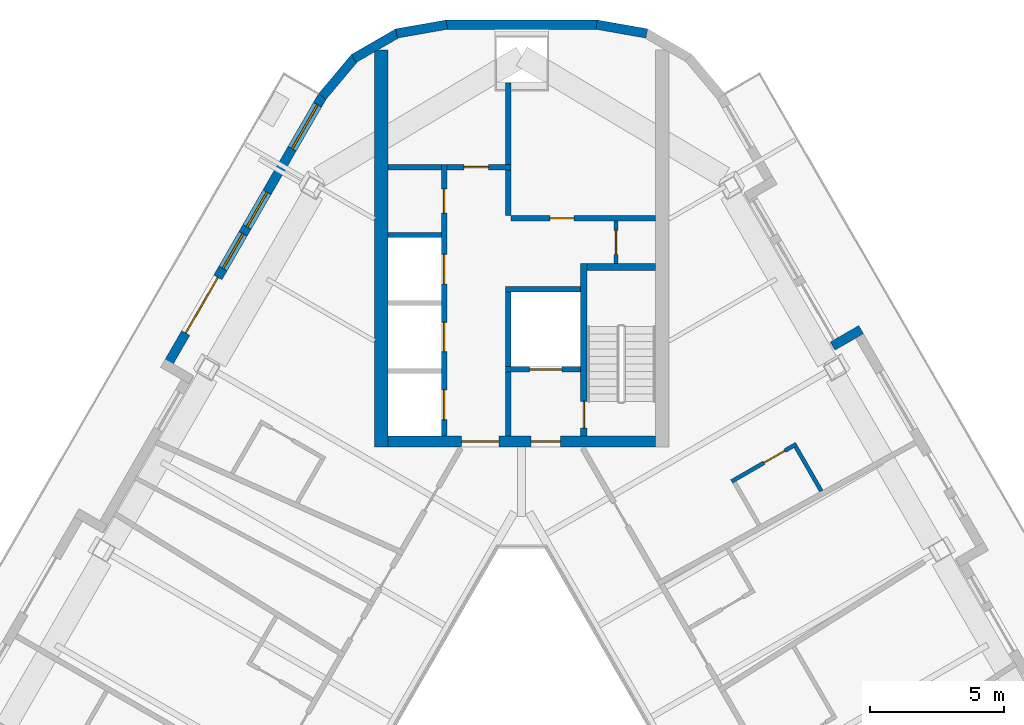
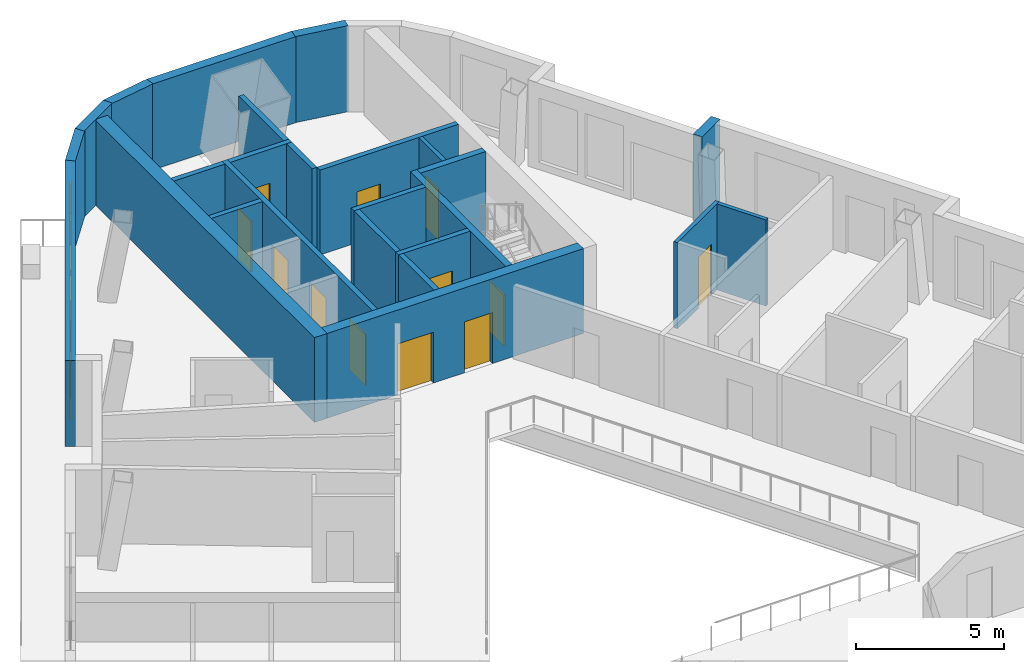
# One storey, part 7 of 14: 25 walls, 13 doors, 3 windows, 16 openings.
"""IFC4 building model written with IfcOpenShell, lengths in metres."""

from ifc_helpers import new_model, si_unit, direction, frame, frame_2d, origin, place, context, subcontext, project, spatial, rectangle, extrude, material, layer, layer_set, type_object, element, fill, save


model = new_model("IFC4")

# Units and contexts
model_context = context("Model", 3, precision=1e-05, world=origin(), true_north=direction((0.0, 1.0)))
body_context = subcontext(model_context, "Body", "Model", "MODEL_VIEW")
ifc_project = project(units=[si_unit("LENGTHUNIT", "METRE"), si_unit("AREAUNIT", "SQUARE_METRE"), si_unit("VOLUMEUNIT", "CUBIC_METRE"), si_unit("PLANEANGLEUNIT", "RADIAN"), si_unit("MASSUNIT", "GRAM", prefix="KILO")], contexts=[model_context])

# Site, building, storey
site_placement = place(None, origin())
site = spatial("IfcSite", under=ifc_project, at=site_placement, CompositionType="ELEMENT")
building_placement = place(site_placement, origin())
building = spatial("IfcBuilding", under=site, at=building_placement, Name="Apuvela Tower Hotel", CompositionType="ELEMENT")
storey_placement = place(building_placement, frame((0.0, 0.0, 254.10009765625)))
storey = spatial("IfcBuildingStorey", under=building, at=storey_placement, Name="L62", CompositionType="ELEMENT", Elevation=254.10009765625)

# Wall, openings, doors
ifc_material_1 = material(Name="Concrete C50/60", Category="concrete")
ifc_layer_1 = layer(ifc_material_1, 0.39990234375)
ifc_layer_set_1 = layer_set([ifc_layer_1], Name="COR-WALL-CORE-400")
wall_type_1 = type_object("IfcWallType", Name="COR-WALL-CORE-400", PredefinedType="SHEAR", material=ifc_layer_set_1)
wall_1_placement = place(storey_placement, frame((5.0, 13.10009765625, 0.0), z_axis=(0.0, 0.0, 1.0), x_axis=(-1.0, 0.0, 0.0)))
wall_1 = element("IfcWall", 1, at=wall_1_placement, inside=storey, type_object=wall_type_1, Name="Core wall N", PredefinedType="SHEAR", context=body_context, shape_type="SweptSolid", body=[
    extrude(rectangle(XDim=10.0, YDim=0.39990234375, at=frame_2d((5.0, 0.0))), origin(), (0.0, 0.0, 1.0), 3.5),
])
opening_1_placement = place(wall_1_placement, frame((3.550048828125, 0.0, 0.0)))
opening_1 = element("IfcOpeningElement", 2, at=opening_1_placement, cuts=wall_1, Name="Opening N-FD", PredefinedType="OPENING", context=body_context, shape_type="SweptSolid", body=[
    extrude(rectangle(XDim=1.10009765625, YDim=2.10009765625, at=frame_2d((0.550048828125, 1.050048828125))), frame((0.0, 0.2099609375, 0.0), z_axis=(0.0, -1.0, 0.0), x_axis=(1.0, 0.0, 0.0)), (0.0, 0.0, 1.0), 0.419921875),
])
opening_2_placement = place(wall_1_placement, frame((5.85009765625, 0.0, 0.0)))
opening_2 = element("IfcOpeningElement", 3, at=opening_2_placement, cuts=wall_1, Name="Opening N-GD", PredefinedType="OPENING", context=body_context, shape_type="SweptSolid", body=[
    extrude(rectangle(XDim=1.39990234375, YDim=2.10009765625, at=frame_2d((0.699951171875, 1.050048828125))), frame((0.0, 0.2099609375, 0.0), z_axis=(0.0, -1.0, 0.0), x_axis=(1.0, 0.0, 0.0)), (0.0, 0.0, 1.0), 0.419921875),
])
ifc_material_2 = material(Name="Steel fire door, powder coated", Category="steel")
door_type_1 = type_object("IfcDoorType", Name="COR-FD-1100", OperationType="NOTDEFINED", PredefinedType="DOOR", material=ifc_material_2)
door_1_placement = place(opening_1_placement, frame((1.10009765625, 0.0, 0.0), z_axis=(0.0, 0.0, 1.0), x_axis=(-1.0, 0.0, 0.0)))
door_1 = element("IfcDoor", 4, at=door_1_placement, inside=storey, type_object=door_type_1, Name="Firefighting lobby door N-FD", OperationType="SINGLE_SWING_LEFT", OverallHeight=2.10009765625, OverallWidth=1.10009765625, PredefinedType="DOOR", context=body_context, shape_type="SweptSolid", body=[
    extrude(rectangle(XDim=1.10009765625, YDim=2.10009765625, at=frame_2d((0.550048828125, 1.050048828125))), frame((0.0, 0.02490234375, 0.0), z_axis=(0.0, -1.0, 0.0), x_axis=(1.0, 0.0, 0.0)), (0.0, 0.0, 1.0), 0.050048828125),
])
fill(opening_1, door_1)
ifc_material_3 = material(Name="Glazed steel fire door", Category="steel")
door_type_2 = type_object("IfcDoorType", Name="COR-GD-1400", OperationType="DOUBLE_DOOR_SINGLE_SWING", PredefinedType="DOOR", material=ifc_material_3)
door_2_placement = place(opening_2_placement, frame((1.39990234375, 0.0, 0.0), z_axis=(0.0, 0.0, 1.0), x_axis=(-1.0, 0.0, 0.0)))
door_2 = element("IfcDoor", 5, at=door_2_placement, inside=storey, type_object=door_type_2, Name="Lift lobby door N-GD", OperationType="DOUBLE_DOOR_SINGLE_SWING", OverallHeight=2.10009765625, OverallWidth=1.39990234375, PredefinedType="DOOR", context=body_context, shape_type="SweptSolid", body=[
    extrude(rectangle(XDim=1.39990234375, YDim=2.10009765625, at=frame_2d((0.699951171875, 1.050048828125))), frame((0.0, 0.02490234375, 0.0), z_axis=(0.0, -1.0, 0.0), x_axis=(1.0, 0.0, 0.0)), (0.0, 0.0, 1.0), 0.050048828125),
])
fill(opening_2, door_2)

# Wall
ifc_layer_2 = layer(ifc_material_1, 0.5)
ifc_layer_set_2 = layer_set([ifc_layer_2], Name="COR-WALL-CORE-500")
wall_type_2 = type_object("IfcWallType", Name="COR-WALL-CORE-500", PredefinedType="SHEAR", material=ifc_layer_set_2)
wall_2_placement = place(storey_placement, frame((-5.25, 12.89990234375, 0.0), z_axis=(0.0, 0.0, 1.0), x_axis=(0.0, 1.0, 0.0)))
element("IfcWall", 6, at=wall_2_placement, inside=storey, type_object=wall_type_2, Name="Core wall N", PredefinedType="SHEAR", context=body_context, shape_type="SweptSolid", body=[
    extrude(rectangle(XDim=14.8369140625, YDim=0.5, at=frame_2d((7.41845703125, 0.0))), origin(), (0.0, 0.0, 1.0), 3.5),
])

# Wall, opening, door
ifc_material_4 = material(Name="Blockwork 150 mm plastered", Category="masonry")
ifc_layer_3 = layer(ifc_material_4, 0.14990234375)
ifc_layer_set_3 = layer_set([ifc_layer_3], Name="COR-WALL-PART-150")
wall_type_3 = type_object("IfcWallType", Name="COR-WALL-PART-150", PredefinedType="PARTITIONING", material=ifc_layer_set_3)
wall_3_placement = place(storey_placement, frame((3.52490234375, 19.75, 0.0), z_axis=(0.0, 0.0, 1.0), x_axis=(0.0, 1.0, 0.0)))
wall_3 = element("IfcWall", 7, at=wall_3_placement, inside=storey, type_object=wall_type_3, Name="Partition N", PredefinedType="PARTITIONING", context=body_context, shape_type="SweptSolid", body=[
    extrude(rectangle(XDim=1.60009765625, YDim=0.14990234375, at=frame_2d((0.800048828125, 0.0))), origin(), (0.0, 0.0, 1.0), 3.5),
])
opening_3_placement = place(wall_3_placement, frame((0.35009765625, 0.0, 0.0)))
opening_3 = element("IfcOpeningElement", 8, at=opening_3_placement, cuts=wall_3, Name="Opening N-RD", PredefinedType="OPENING", context=body_context, shape_type="SweptSolid", body=[
    extrude(rectangle(XDim=0.89990234375, YDim=2.10009765625, at=frame_2d((0.449951171875, 1.050048828125))), frame((0.0, 0.0849609375, 0.0), z_axis=(0.0, -1.0, 0.0), x_axis=(1.0, 0.0, 0.0)), (0.0, 0.0, 1.0), 0.169921875),
])
ifc_material_5 = material(Name="Steel access door, powder coated", Category="steel")
door_type_3 = type_object("IfcDoorType", Name="COR-RD-900", OperationType="NOTDEFINED", PredefinedType="DOOR", material=ifc_material_5)
door_3_placement = place(opening_3_placement, frame((0.89990234375, 0.0, 0.0), z_axis=(0.0, 0.0, 1.0), x_axis=(-1.0, 0.0, 0.0)))
door_3 = element("IfcDoor", 9, at=door_3_placement, inside=storey, type_object=door_type_3, Name="Riser door N-RD", OperationType="SINGLE_SWING_RIGHT", OverallHeight=2.10009765625, OverallWidth=0.89990234375, PredefinedType="DOOR", context=body_context, shape_type="SweptSolid", body=[
    extrude(rectangle(XDim=0.89990234375, YDim=2.10009765625, at=frame_2d((0.449951171875, 1.050048828125))), frame((0.0, 0.02490234375, 0.0), z_axis=(0.0, -1.0, 0.0), x_axis=(1.0, 0.0, 0.0)), (0.0, 0.0, 1.0), 0.050048828125),
])
fill(opening_3, door_3)

ifc_material_6 = material(Name="Blockwork 200 mm plastered", Category="masonry")
ifc_layer_4 = layer(ifc_material_6, 0.199951171875)
ifc_layer_set_4 = layer_set([ifc_layer_4], Name="COR-WALL-PART-200")
wall_type_4 = type_object("IfcWallType", Name="COR-WALL-PART-200", PredefinedType="PARTITIONING", material=ifc_layer_set_4)
wall_4_placement = place(storey_placement, frame((5.0, 21.449951171875, 0.0), z_axis=(0.0, 0.0, 1.0), x_axis=(-1.0, 0.0, 0.0)))
wall_4 = element("IfcWall", 10, at=wall_4_placement, inside=storey, type_object=wall_type_4, Name="Partition N", PredefinedType="PARTITIONING", context=body_context, shape_type="SweptSolid", body=[
    extrude(rectangle(XDim=5.39990234375, YDim=0.199951171875, at=frame_2d((2.699951171875, 0.0))), origin(), (0.0, 0.0, 1.0), 3.5),
])
opening_4_placement = place(wall_4_placement, frame((3.050048828125, 0.0, 0.0)))
opening_4 = element("IfcOpeningElement", 11, at=opening_4_placement, cuts=wall_4, Name="Opening N-RS1", PredefinedType="OPENING", context=body_context, shape_type="SweptSolid", body=[
    extrude(rectangle(XDim=0.89990234375, YDim=2.10009765625, at=frame_2d((0.449951171875, 1.050048828125))), frame((0.0, 0.10986328125, 0.0), z_axis=(0.0, -1.0, 0.0), x_axis=(1.0, 0.0, 0.0)), (0.0, 0.0, 1.0), 0.219970703125),
])
door_type_4 = type_object("IfcDoorType", Name="COR-DR-900", OperationType="NOTDEFINED", PredefinedType="DOOR", material=ifc_material_2)
door_4_placement = place(opening_4_placement, frame((0.89990234375, 0.0, 0.0), z_axis=(0.0, 0.0, 1.0), x_axis=(-1.0, 0.0, 0.0)))
door_4 = element("IfcDoor", 12, at=door_4_placement, inside=storey, type_object=door_type_4, Name="Store door N-RS1", OperationType="SINGLE_SWING_LEFT", OverallHeight=2.10009765625, OverallWidth=0.89990234375, PredefinedType="DOOR", context=body_context, shape_type="SweptSolid", body=[
    extrude(rectangle(XDim=0.89990234375, YDim=2.10009765625, at=frame_2d((0.449951171875, 1.050048828125))), frame((0.0, 0.02490234375, 0.0), z_axis=(0.0, -1.0, 0.0), x_axis=(1.0, 0.0, 0.0)), (0.0, 0.0, 1.0), 0.050048828125),
])
fill(opening_4, door_4)

# Wall
ifc_layer_5 = layer(ifc_material_1, 0.199951171875)
ifc_layer_set_5 = layer_set([ifc_layer_5], Name="COR-WALL-SHAFT-200")
wall_type_5 = type_object("IfcWallType", Name="COR-WALL-SHAFT-200", PredefinedType="SHEAR", material=ifc_layer_set_5)
wall_5_placement = place(storey_placement, frame((2.199951171875, 18.800048828125, 0.0), z_axis=(0.0, 0.0, 1.0), x_axis=(-1.0, 0.0, 0.0)))
element("IfcWall", 13, at=wall_5_placement, inside=storey, type_object=wall_type_5, Name="Shaft wall N", PredefinedType="SHEAR", context=body_context, shape_type="SweptSolid", body=[
    extrude(rectangle(XDim=2.800048828125, YDim=0.199951171875, at=frame_2d((1.39990234375, 0.0))), origin(), (0.0, 0.0, 1.0), 3.5),
])

# Wall, opening, door
wall_6_placement = place(storey_placement, frame((2.199951171875, 15.800048828125, 0.0), z_axis=(0.0, 0.0, 1.0), x_axis=(-1.0, 0.0, 0.0)))
wall_6 = element("IfcWall", 14, at=wall_6_placement, inside=storey, type_object=wall_type_5, Name="Shaft wall N", PredefinedType="SHEAR", context=body_context, shape_type="SweptSolid", body=[
    extrude(rectangle(XDim=2.800048828125, YDim=0.199951171875, at=frame_2d((1.39990234375, 0.0))), origin(), (0.0, 0.0, 1.0), 3.5),
])
opening_5_placement = place(wall_6_placement, frame((0.699951171875, 0.0, 0.0)))
opening_5 = element("IfcOpeningElement", 15, at=opening_5_placement, cuts=wall_6, Name="Opening N-LD-FS1", PredefinedType="OPENING", context=body_context, shape_type="SweptSolid", body=[
    extrude(rectangle(XDim=1.199951171875, YDim=2.10009765625, at=frame_2d((0.60009765625, 1.050048828125))), frame((0.0, 0.10986328125, 0.0), z_axis=(0.0, -1.0, 0.0), x_axis=(1.0, 0.0, 0.0)), (0.0, 0.0, 1.0), 0.219970703125),
])
ifc_material_7 = material(Name="Stainless steel lift landing door", Category="steel")
door_type_5 = type_object("IfcDoorType", Name="COR-LD-1200", OperationType="DOUBLE_DOOR_SLIDING", PredefinedType="DOOR", material=ifc_material_7)
door_5_placement = place(opening_5_placement, origin())
door_5 = element("IfcDoor", 16, at=door_5_placement, inside=storey, type_object=door_type_5, Name="Lift landing door N-LD-FS1", OperationType="DOUBLE_DOOR_SLIDING", OverallHeight=2.10009765625, OverallWidth=1.199951171875, PredefinedType="DOOR", context=body_context, shape_type="SweptSolid", body=[
    extrude(rectangle(XDim=1.199951171875, YDim=2.10009765625, at=frame_2d((0.60009765625, 1.050048828125))), frame((0.0, 0.02490234375, 0.0), z_axis=(0.0, -1.0, 0.0), x_axis=(1.0, 0.0, 0.0)), (0.0, 0.0, 1.0), 0.050048828125),
])
fill(opening_5, door_5)

# Walls
wall_7_placement = place(storey_placement, frame((-0.5, 15.89990234375, 0.0), z_axis=(0.0, 0.0, 1.0), x_axis=(0.0, 1.0, 0.0)))
element("IfcWall", 17, at=wall_7_placement, inside=storey, type_object=wall_type_5, Name="Shaft wall N", PredefinedType="SHEAR", context=body_context, shape_type="SweptSolid", body=[
    extrude(rectangle(XDim=2.800048828125, YDim=0.199951171875, at=frame_2d((1.39990234375, 0.0))), origin(), (0.0, 0.0, 1.0), 3.5),
])
wall_8_placement = place(storey_placement, frame((-0.5, 13.300048828125, 0.0), z_axis=(0.0, 0.0, 1.0), x_axis=(0.0, 1.0, 0.0)))
element("IfcWall", 18, at=wall_8_placement, inside=storey, type_object=wall_type_5, Name="Shaft wall N", PredefinedType="SHEAR", context=body_context, shape_type="SweptSolid", body=[
    extrude(rectangle(XDim=2.39990234375, YDim=0.199951171875, at=frame_2d((1.199951171875, 0.0))), origin(), (0.0, 0.0, 1.0), 3.5),
])

# Wall, openings, doors
wall_9_placement = place(storey_placement, frame((-2.89990234375, 13.300048828125, 0.0), z_axis=(0.0, 0.0, 1.0), x_axis=(0.0, 1.0, 0.0)))
wall_9 = element("IfcWall", 19, at=wall_9_placement, inside=storey, type_object=wall_type_5, Name="Shaft wall N", PredefinedType="SHEAR", context=body_context, shape_type="SweptSolid", body=[
    extrude(rectangle(XDim=10.159912109375, YDim=0.199951171875, at=frame_2d((5.080078125, 0.0))), origin(), (0.0, 0.0, 1.0), 3.5),
])
opening_6_placement = place(wall_9_placement, frame((0.6201171875, 0.0, 0.0)))
opening_6 = element("IfcOpeningElement", 20, at=opening_6_placement, cuts=wall_9, Name="Opening N-LD-HR1", PredefinedType="OPENING", context=body_context, shape_type="SweptSolid", body=[
    extrude(rectangle(XDim=1.10009765625, YDim=2.10009765625, at=frame_2d((0.550048828125, 1.050048828125))), frame((0.0, 0.10986328125, 0.0), z_axis=(0.0, -1.0, 0.0), x_axis=(1.0, 0.0, 0.0)), (0.0, 0.0, 1.0), 0.219970703125),
])
opening_7_placement = place(wall_9_placement, frame((3.159912109375, 0.0, 0.0)))
opening_7 = element("IfcOpeningElement", 21, at=opening_7_placement, cuts=wall_9, Name="Opening N-LD-HR2", PredefinedType="OPENING", context=body_context, shape_type="SweptSolid", body=[
    extrude(rectangle(XDim=1.10009765625, YDim=2.10009765625, at=frame_2d((0.550048828125, 1.050048828125))), frame((0.0, 0.10986328125, 0.0), z_axis=(0.0, -1.0, 0.0), x_axis=(1.0, 0.0, 0.0)), (0.0, 0.0, 1.0), 0.219970703125),
])
opening_8_placement = place(wall_9_placement, frame((5.699951171875, 0.0, 0.0)))
opening_8 = element("IfcOpeningElement", 22, at=opening_8_placement, cuts=wall_9, Name="Opening N-LD-HR4", PredefinedType="OPENING", context=body_context, shape_type="SweptSolid", body=[
    extrude(rectangle(XDim=1.10009765625, YDim=2.10009765625, at=frame_2d((0.550048828125, 1.050048828125))), frame((0.0, 0.10986328125, 0.0), z_axis=(0.0, -1.0, 0.0), x_axis=(1.0, 0.0, 0.0)), (0.0, 0.0, 1.0), 0.219970703125),
])
opening_9_placement = place(wall_9_placement, frame((8.340087890625, 0.0, 0.0)))
opening_9 = element("IfcOpeningElement", 23, at=opening_9_placement, cuts=wall_9, Name="Opening N-RE4", PredefinedType="OPENING", context=body_context, shape_type="SweptSolid", body=[
    extrude(rectangle(XDim=0.89990234375, YDim=2.10009765625, at=frame_2d((0.449951171875, 1.050048828125))), frame((0.0, 0.10986328125, 0.0), z_axis=(0.0, -1.0, 0.0), x_axis=(1.0, 0.0, 0.0)), (0.0, 0.0, 1.0), 0.219970703125),
])
door_6_placement = place(opening_9_placement, origin())
door_6 = element("IfcDoor", 24, at=door_6_placement, inside=storey, type_object=door_type_4, Name="Store door N-RE4", OperationType="SINGLE_SWING_LEFT", OverallHeight=2.10009765625, OverallWidth=0.89990234375, PredefinedType="DOOR", context=body_context, shape_type="SweptSolid", body=[
    extrude(rectangle(XDim=0.89990234375, YDim=2.10009765625, at=frame_2d((0.449951171875, 1.050048828125))), frame((0.0, 0.02490234375, 0.0), z_axis=(0.0, -1.0, 0.0), x_axis=(1.0, 0.0, 0.0)), (0.0, 0.0, 1.0), 0.050048828125),
])
fill(opening_9, door_6)
door_type_6 = type_object("IfcDoorType", Name="COR-LD-1100", OperationType="DOUBLE_DOOR_SLIDING", PredefinedType="DOOR", material=ifc_material_7)
door_7_placement = place(opening_6_placement, origin())
door_7 = element("IfcDoor", 25, at=door_7_placement, inside=storey, type_object=door_type_6, Name="Lift landing door N-LD-HR1", OperationType="DOUBLE_DOOR_SLIDING", OverallHeight=2.10009765625, OverallWidth=1.10009765625, PredefinedType="DOOR", context=body_context, shape_type="SweptSolid", body=[
    extrude(rectangle(XDim=1.10009765625, YDim=2.10009765625, at=frame_2d((0.550048828125, 1.050048828125))), frame((0.0, 0.02490234375, 0.0), z_axis=(0.0, -1.0, 0.0), x_axis=(1.0, 0.0, 0.0)), (0.0, 0.0, 1.0), 0.050048828125),
])
fill(opening_6, door_7)
door_8_placement = place(opening_7_placement, origin())
door_8 = element("IfcDoor", 26, at=door_8_placement, inside=storey, type_object=door_type_6, Name="Lift landing door N-LD-HR2", OperationType="DOUBLE_DOOR_SLIDING", OverallHeight=2.10009765625, OverallWidth=1.10009765625, PredefinedType="DOOR", context=body_context, shape_type="SweptSolid", body=[
    extrude(rectangle(XDim=1.10009765625, YDim=2.10009765625, at=frame_2d((0.550048828125, 1.050048828125))), frame((0.0, 0.02490234375, 0.0), z_axis=(0.0, -1.0, 0.0), x_axis=(1.0, 0.0, 0.0)), (0.0, 0.0, 1.0), 0.050048828125),
])
fill(opening_7, door_8)
door_9_placement = place(opening_8_placement, origin())
door_9 = element("IfcDoor", 27, at=door_9_placement, inside=storey, type_object=door_type_6, Name="Lift landing door N-LD-HR4", OperationType="DOUBLE_DOOR_SLIDING", OverallHeight=2.10009765625, OverallWidth=1.10009765625, PredefinedType="DOOR", context=body_context, shape_type="SweptSolid", body=[
    extrude(rectangle(XDim=1.10009765625, YDim=2.10009765625, at=frame_2d((0.550048828125, 1.050048828125))), frame((0.0, 0.02490234375, 0.0), z_axis=(0.0, -1.0, 0.0), x_axis=(1.0, 0.0, 0.0)), (0.0, 0.0, 1.0), 0.050048828125),
])
fill(opening_8, door_9)

# Wall, opening, door
wall_10_placement = place(storey_placement, frame((-0.39990234375, 23.360107421875, 0.0), z_axis=(0.0, 0.0, 1.0), x_axis=(-1.0, 0.0, 0.0)))
wall_10 = element("IfcWall", 28, at=wall_10_placement, inside=storey, type_object=wall_type_5, Name="Shaft wall N", PredefinedType="SHEAR", context=body_context, shape_type="SweptSolid", body=[
    extrude(rectangle(XDim=2.400146484375, YDim=0.199951171875, at=frame_2d((1.2001953125, 0.0))), origin(), (0.0, 0.0, 1.0), 3.5),
])
opening_10_placement = place(wall_10_placement, frame((0.85009765625, 0.0, 0.0)))
opening_10 = element("IfcOpeningElement", 29, at=opening_10_placement, cuts=wall_10, Name="Opening N-REP", PredefinedType="OPENING", context=body_context, shape_type="SweptSolid", body=[
    extrude(rectangle(XDim=0.89990234375, YDim=2.10009765625, at=frame_2d((0.449951171875, 1.050048828125))), frame((0.0, 0.10986328125, 0.0), z_axis=(0.0, -1.0, 0.0), x_axis=(1.0, 0.0, 0.0)), (0.0, 0.0, 1.0), 0.219970703125),
])
door_10_placement = place(opening_10_placement, frame((0.89990234375, 0.0, 0.0), z_axis=(0.0, 0.0, 1.0), x_axis=(-1.0, 0.0, 0.0)))
door_10 = element("IfcDoor", 30, at=door_10_placement, inside=storey, type_object=door_type_4, Name="Store door N-REP", OperationType="SINGLE_SWING_LEFT", OverallHeight=2.10009765625, OverallWidth=0.89990234375, PredefinedType="DOOR", context=body_context, shape_type="SweptSolid", body=[
    extrude(rectangle(XDim=0.89990234375, YDim=2.10009765625, at=frame_2d((0.449951171875, 1.050048828125))), frame((0.0, 0.02490234375, 0.0), z_axis=(0.0, -1.0, 0.0), x_axis=(1.0, 0.0, 0.0)), (0.0, 0.0, 1.0), 0.050048828125),
])
fill(opening_10, door_10)

# Walls
wall_11_placement = place(storey_placement, frame((-0.5, 21.550048828125, 0.0), z_axis=(0.0, 0.0, 1.0), x_axis=(0.0, 1.0, 0.0)))
element("IfcWall", 31, at=wall_11_placement, inside=storey, type_object=wall_type_5, Name="Shaft wall N", PredefinedType="SHEAR", context=body_context, shape_type="SweptSolid", body=[
    extrude(rectangle(XDim=1.7099609375, YDim=0.199951171875, at=frame_2d((0.85498046875, 0.0))), origin(), (0.0, 0.0, 1.0), 3.5),
])
for number, where, z_axis, x_axis, name in (
    (32, (-3.0, 20.820068359375, 0.0), (0.0, 0.0, 1.0), (-1.0, 0.0, 0.0), "Shaft wall N"),
    (33, (-3.0, 23.360107421875, 0.0), (0.0, 0.0, 1.0), (-1.0, 0.0, 0.0), "Shaft wall N"),
):
    element("IfcWall", number, at=place(storey_placement, frame(where, z_axis=z_axis, x_axis=x_axis)), inside=storey, type_object=wall_type_5, Name=name, PredefinedType="SHEAR", context=body_context, shape_type="SweptSolid", body=[
        extrude(rectangle(XDim=2.0, YDim=0.199951171875, at=frame_2d((1.0, 0.0))), origin(), (0.0, 0.0, 1.0), 3.5),
    ])
wall_12_placement = place(storey_placement, frame((-0.5, 23.4599609375, 0.0), z_axis=(0.0, 0.0, 1.0), x_axis=(0.0, 1.0, 0.0)))
element("IfcWall", 34, at=wall_12_placement, inside=storey, type_object=wall_type_5, Name="Shaft wall N", PredefinedType="SHEAR", context=body_context, shape_type="SweptSolid", body=[
    extrude(rectangle(XDim=3.0400390625, YDim=0.199951171875, at=frame_2d((1.52001953125, 0.0))), origin(), (0.0, 0.0, 1.0), 3.5),
])

# Wall, opening, door
ifc_layer_6 = layer(ifc_material_1, 0.25)
ifc_layer_set_6 = layer_set([ifc_layer_6], Name="COR-WALL-STAIR-250")
wall_type_6 = type_object("IfcWallType", Name="COR-WALL-STAIR-250", PredefinedType="SHEAR", material=ifc_layer_set_6)
wall_13_placement = place(storey_placement, frame((2.324951171875, 13.300048828125, 0.0), z_axis=(0.0, 0.0, 1.0), x_axis=(0.0, 1.0, 0.0)))
wall_13 = element("IfcWall", 35, at=wall_13_placement, inside=storey, type_object=wall_type_6, Name="Stair wall N", PredefinedType="SHEAR", context=body_context, shape_type="SweptSolid", body=[
    extrude(rectangle(XDim=6.449951171875, YDim=0.25, at=frame_2d((3.22509765625, 0.0))), origin(), (0.0, 0.0, 1.0), 3.5),
])
opening_11_placement = place(wall_13_placement, frame((0.300048828125, 0.0, 0.0)))
opening_11 = element("IfcOpeningElement", 36, at=opening_11_placement, cuts=wall_13, Name="Opening N-SD", PredefinedType="OPENING", context=body_context, shape_type="SweptSolid", body=[
    extrude(rectangle(XDim=1.0, YDim=2.10009765625, at=frame_2d((0.5, 1.050048828125))), frame((0.0, 0.135009765625, 0.0), z_axis=(0.0, -1.0, 0.0), x_axis=(1.0, 0.0, 0.0)), (0.0, 0.0, 1.0), 0.27001953125),
])
door_type_7 = type_object("IfcDoorType", Name="COR-SD-1000", OperationType="NOTDEFINED", PredefinedType="DOOR", material=ifc_material_2)
door_11_placement = place(opening_11_placement, frame((1.0, 0.0, 0.0), z_axis=(0.0, 0.0, 1.0), x_axis=(-1.0, 0.0, 0.0)))
door_11 = element("IfcDoor", 37, at=door_11_placement, inside=storey, type_object=door_type_7, Name="Stair door N-SD", OperationType="SINGLE_SWING_LEFT", OverallHeight=2.10009765625, OverallWidth=1.0, PredefinedType="DOOR", context=body_context, shape_type="SweptSolid", body=[
    extrude(rectangle(XDim=1.0, YDim=2.10009765625, at=frame_2d((0.5, 1.050048828125))), frame((0.0, 0.02490234375, 0.0), z_axis=(0.0, -1.0, 0.0), x_axis=(1.0, 0.0, 0.0)), (0.0, 0.0, 1.0), 0.050048828125),
])
fill(opening_11, door_11)

# Wall
wall_14_placement = place(storey_placement, frame((5.0, 19.625, 0.0), z_axis=(0.0, 0.0, 1.0), x_axis=(-1.0, 0.0, 0.0)))
element("IfcWall", 38, at=wall_14_placement, inside=storey, type_object=wall_type_6, Name="Stair wall N", PredefinedType="SHEAR", context=body_context, shape_type="SweptSolid", body=[
    extrude(rectangle(XDim=2.550048828125, YDim=0.25, at=frame_2d((1.27490234375, 0.0))), origin(), (0.0, 0.0, 1.0), 3.5),
])

# Wall, openings, door, windows
ifc_material_8 = material(Name="Concrete C40/50, dark pigmented precast panel", Category="concrete")
ifc_layer_7 = layer(ifc_material_8, 0.35009765625)
ifc_layer_set_7 = layer_set([ifc_layer_7], Name="ENV-WALL-350")
wall_type_7 = type_object("IfcWallType", Name="ENV-WALL-350", PredefinedType="SOLIDWALL", material=ifc_layer_set_7)
wall_15_placement = place(storey_placement, frame((-7.440673828125, 26.0224609375, 0.0), z_axis=(0.0, 0.0, 1.0), x_axis=(-0.499992533062, -0.86602971478, 0.0)))
wall_15 = element("IfcWall", 39, at=wall_15_placement, inside=storey, type_object=wall_type_7, Name="External wall L62-01", PredefinedType="SOLIDWALL", context=body_context, shape_type="SweptSolid", body=[
    extrude(rectangle(XDim=11.815673828125, YDim=0.35009765625, at=frame_2d((5.90771484375, 0.0))), origin(), (0.0, 0.0, 1.0), 3.5498046875),
])
opening_12_placement = place(wall_15_placement, frame((0.381103515625, 0.0, 0.300048828125)))
opening_12 = element("IfcOpeningElement", 40, at=opening_12_placement, cuts=wall_15, Name="Opening WN19", PredefinedType="OPENING", context=body_context, shape_type="SweptSolid", body=[
    extrude(rectangle(XDim=1.89990234375, YDim=2.64990234375, at=frame_2d((0.949951171875, 1.324951171875))), frame((0.0, 0.18505859375, 0.0), z_axis=(0.0, -1.0, 0.0), x_axis=(1.0, 0.0, 0.0)), (0.0, 0.0, 1.0), 0.3701171875),
])
opening_13_placement = place(wall_15_placement, frame((7.83642578125, 0.0, 0.0)))
opening_13 = element("IfcOpeningElement", 41, at=opening_13_placement, cuts=wall_15, Name="Opening BD24", PredefinedType="OPENING", context=body_context, shape_type="SweptSolid", body=[
    extrude(rectangle(XDim=2.39990234375, YDim=2.39990234375, at=frame_2d((1.199951171875, 1.199951171875))), frame((0.0, 0.18505859375, 0.0), z_axis=(0.0, -1.0, 0.0), x_axis=(1.0, 0.0, 0.0)), (0.0, 0.0, 1.0), 0.3701171875),
])
opening_14_placement = place(wall_15_placement, frame((4.15380859375, 0.0, 0.300048828125)))
opening_14 = element("IfcOpeningElement", 42, at=opening_14_placement, cuts=wall_15, Name="Opening WN15", PredefinedType="OPENING", context=body_context, shape_type="SweptSolid", body=[
    extrude(rectangle(XDim=1.5, YDim=2.64990234375, at=frame_2d((0.75, 1.324951171875))), frame((0.0, 0.18505859375, 0.0), z_axis=(0.0, -1.0, 0.0), x_axis=(1.0, 0.0, 0.0)), (0.0, 0.0, 1.0), 0.3701171875),
])
opening_15_placement = place(wall_15_placement, frame((5.95361328125, 0.0, 0.300048828125)))
opening_15 = element("IfcOpeningElement", 43, at=opening_15_placement, cuts=wall_15, Name="Opening WN15", PredefinedType="OPENING", context=body_context, shape_type="SweptSolid", body=[
    extrude(rectangle(XDim=1.5, YDim=2.64990234375, at=frame_2d((0.75, 1.324951171875))), frame((0.0, 0.18505859375, 0.0), z_axis=(0.0, -1.0, 0.0), x_axis=(1.0, 0.0, 0.0)), (0.0, 0.0, 1.0), 0.3701171875),
])
ifc_material_9 = material(Name="Aluminium 6063-T6, dark bronze anodised frame with dark tinted laminated glass", Category="aluminium")
door_type_8 = type_object("IfcDoorType", Name="ENV-DOOR-BALCONY-2400x2400", OperationType="SLIDING_TO_LEFT", PredefinedType="DOOR", material=ifc_material_9)
door_12_placement = place(opening_13_placement, frame((2.39990234375, 0.0, 0.0), z_axis=(0.0, 0.0, 1.0), x_axis=(-1.0, 0.0, 0.0)))
door_12 = element("IfcDoor", 44, at=door_12_placement, inside=storey, type_object=door_type_8, Name="Balcony door BD24", OperationType="SLIDING_TO_LEFT", OverallHeight=2.39990234375, OverallWidth=2.39990234375, PredefinedType="DOOR", context=body_context, shape_type="SweptSolid", body=[
    extrude(rectangle(XDim=2.39990234375, YDim=2.39990234375, at=frame_2d((1.199951171875, 1.199951171875))), frame((0.0, 0.02490234375, 0.0), z_axis=(0.0, -1.0, 0.0), x_axis=(1.0, 0.0, 0.0)), (0.0, 0.0, 1.0), 0.050048828125),
])
fill(opening_13, door_12)
ifc_material_10 = material(Name="Glass, dark tinted laminated insulated glazing unit", Category="glass")
window_type_1 = type_object("IfcWindowType", Name="ENV-WIN-1500x2650", PartitioningType="SINGLE_PANEL", PredefinedType="WINDOW", material=ifc_material_10)
window_1_placement = place(opening_14_placement, origin())
window_1 = element("IfcWindow", 45, at=window_1_placement, inside=storey, type_object=window_type_1, Name="Window WN15", OverallHeight=2.64990234375, OverallWidth=1.5, PartitioningType="SINGLE_PANEL", PredefinedType="WINDOW", context=body_context, shape_type="SweptSolid", body=[
    extrude(rectangle(XDim=1.5, YDim=2.64990234375, at=frame_2d((0.75, 1.324951171875))), frame((0.0, 0.030029296875, 0.0), z_axis=(0.0, -1.0, 0.0), x_axis=(1.0, 0.0, 0.0)), (0.0, 0.0, 1.0), 0.06005859375),
])
fill(opening_14, window_1)
window_2_placement = place(opening_15_placement, origin())
window_2 = element("IfcWindow", 46, at=window_2_placement, inside=storey, type_object=window_type_1, Name="Window WN15", OverallHeight=2.64990234375, OverallWidth=1.5, PartitioningType="SINGLE_PANEL", PredefinedType="WINDOW", context=body_context, shape_type="SweptSolid", body=[
    extrude(rectangle(XDim=1.5, YDim=2.64990234375, at=frame_2d((0.75, 1.324951171875))), frame((0.0, 0.030029296875, 0.0), z_axis=(0.0, -1.0, 0.0), x_axis=(1.0, 0.0, 0.0)), (0.0, 0.0, 1.0), 0.06005859375),
])
fill(opening_15, window_2)
window_type_2 = type_object("IfcWindowType", Name="ENV-WIN-1900x2650", PartitioningType="SINGLE_PANEL", PredefinedType="WINDOW", material=ifc_material_10)
window_3_placement = place(opening_12_placement, origin())
window_3 = element("IfcWindow", 47, at=window_3_placement, inside=storey, type_object=window_type_2, Name="Window WN19", OverallHeight=2.64990234375, OverallWidth=1.89990234375, PartitioningType="SINGLE_PANEL", PredefinedType="WINDOW", context=body_context, shape_type="SweptSolid", body=[
    extrude(rectangle(XDim=1.89990234375, YDim=2.64990234375, at=frame_2d((0.949951171875, 1.324951171875))), frame((0.0, 0.030029296875, 0.0), z_axis=(0.0, -1.0, 0.0), x_axis=(1.0, 0.0, 0.0)), (0.0, 0.0, 1.0), 0.06005859375),
])
fill(opening_12, window_3)

# Walls
wall_16_placement = place(storey_placement, frame((12.6875, 17.284423828125, 0.0), z_axis=(0.0, 0.0, 1.0), x_axis=(-0.865955602162, -0.500120880472, 0.0)))
element("IfcWall", 48, at=wall_16_placement, inside=storey, type_object=wall_type_7, Name="External wall L62-38", PredefinedType="SOLIDWALL", context=body_context, shape_type="SweptSolid", body=[
    extrude(rectangle(XDim=1.219970703125, YDim=0.35009765625, at=frame_2d((0.60986328125, 0.0))), origin(), (0.0, 0.0, 1.0), 3.5498046875),
])
wall_17_placement = place(storey_placement, frame((4.6796875, 28.35595703125, 0.0), z_axis=(0.0, 0.0, 1.0), x_axis=(-0.984798995425, 0.173697837091, 0.0)))
element("IfcWall", 49, at=wall_17_placement, inside=storey, type_object=wall_type_7, Name="External wall L62-44", PredefinedType="SOLIDWALL", context=body_context, shape_type="SweptSolid", body=[
    extrude(rectangle(XDim=1.91015625, YDim=0.35009765625, at=frame_2d((0.955078125, 0.0))), origin(), (0.0, 0.0, 1.0), 3.5498046875),
])
wall_18_placement = place(storey_placement, frame((2.8291015625, 28.68505859375, 0.0), z_axis=(0.0, 0.0, 1.0), x_axis=(-1.0, 0.0, 0.0)))
element("IfcWall", 50, at=wall_18_placement, inside=storey, type_object=wall_type_7, Name="External wall L62-45", PredefinedType="SOLIDWALL", context=body_context, shape_type="SweptSolid", body=[
    extrude(rectangle(XDim=5.658203125, YDim=0.35009765625, at=frame_2d((2.8291015625, 0.0))), origin(), (0.0, 0.0, 1.0), 3.5498046875),
])
for number, where, z_axis, x_axis, name in (
    (51, (-2.798583984375, 28.687744140625, 0.0), (0.0, 0.0, 1.0), (-0.984798995425, -0.173697837091, 0.0), "External wall L62-46"),
    (52, (-4.62255859375, 28.376708984375, 0.0), (0.0, 0.0, 1.0), (-0.866032345022, -0.499987977232, 0.0), "External wall L62-47"),
):
    element("IfcWall", number, at=place(storey_placement, frame(where, z_axis=z_axis, x_axis=x_axis)), inside=storey, type_object=wall_type_7, Name=name, PredefinedType="SOLIDWALL", context=body_context, shape_type="SweptSolid", body=[
        extrude(rectangle(XDim=1.91015625, YDim=0.35009765625, at=frame_2d((0.955078125, 0.0))), origin(), (0.0, 0.0, 1.0), 3.5498046875),
    ])
wall_19_placement = place(storey_placement, frame((-6.230224609375, 27.460693359375, 0.0), z_axis=(0.0, 0.0, 1.0), x_axis=(-0.642808304945, -0.766027077259, 0.0)))
element("IfcWall", 53, at=wall_19_placement, inside=storey, type_object=wall_type_7, Name="External wall L62-48", PredefinedType="SOLIDWALL", context=body_context, shape_type="SweptSolid", body=[
    extrude(rectangle(XDim=1.909912109375, YDim=0.35009765625, at=frame_2d((0.955078125, 0.0))), origin(), (0.0, 0.0, 1.0), 3.5498046875),
])

# Wall, opening, door
ifc_material_11 = material(Name="Moisture-resistant gypsum board wet wall on steel stud", Category="steel")
ifc_layer_8 = layer(ifc_material_11, 0.14990234375)
ifc_layer_set_8 = layer_set([ifc_layer_8], Name="GST-PW3")
wall_type_8 = type_object("IfcWallType", Name="GST-PW3", PredefinedType="PARTITIONING", material=ifc_layer_set_8)
wall_20_placement = place(storey_placement, frame((10.271728515625, 13.0087890625, 0.0), z_axis=(0.0, 0.0, 1.0), x_axis=(-0.865996816683, -0.500049511043, 0.0)))
wall_20 = element("IfcWall", 54, at=wall_20_placement, inside=storey, type_object=wall_type_8, Name="L62 partition 33", PredefinedType="PARTITIONING", context=body_context, shape_type="SweptSolid", body=[
    extrude(rectangle(XDim=2.800048828125, YDim=0.14990234375, at=frame_2d((1.39990234375, 0.0))), origin(), (0.0, 0.0, 1.0), 3.5498046875),
])
opening_16_placement = place(wall_20_placement, frame((0.5, 0.0, 0.0)))
opening_16 = element("IfcOpeningElement", 55, at=opening_16_placement, cuts=wall_20, Name="Opening GD24-14", PredefinedType="OPENING", context=body_context, shape_type="SweptSolid", body=[
    extrude(rectangle(XDim=0.89990234375, YDim=2.10009765625, at=frame_2d((0.449951171875, 1.050048828125))), frame((0.0, 0.0849609375, 0.0), z_axis=(0.0, -1.0, 0.0), x_axis=(1.0, 0.0, 0.0)), (0.0, 0.0, 1.0), 0.169921875),
])
ifc_material_12 = material(Name="Timber door leaf in steel frame", Category="steel")
door_type_9 = type_object("IfcDoorType", Name="GST-D2", OperationType="NOTDEFINED", PredefinedType="DOOR", material=ifc_material_12)
door_13_placement = place(opening_16_placement, origin())
door_13 = element("IfcDoor", 56, at=door_13_placement, inside=storey, type_object=door_type_9, Name="Door L62-14", OperationType="SINGLE_SWING_LEFT", OverallHeight=2.10009765625, OverallWidth=0.89990234375, PredefinedType="DOOR", context=body_context, shape_type="SweptSolid", body=[
    extrude(rectangle(XDim=0.89990234375, YDim=2.10009765625, at=frame_2d((0.449951171875, 1.050048828125))), frame((0.0, 0.02490234375, 0.0), z_axis=(0.0, -1.0, 0.0), x_axis=(1.0, 0.0, 0.0)), (0.0, 0.0, 1.0), 0.050048828125),
])
fill(opening_16, door_13)

# Wall
wall_21_placement = place(storey_placement, frame((11.200927734375, 11.24951171875, 0.0), z_axis=(0.0, 0.0, 1.0), x_axis=(-0.500009674092, 0.866019818373, 0.0)))
element("IfcWall", 57, at=wall_21_placement, inside=storey, type_object=wall_type_8, Name="L62 partition 34", PredefinedType="PARTITIONING", context=body_context, shape_type="SweptSolid", body=[
    extrude(rectangle(XDim=1.9130859375, YDim=0.14990234375, at=frame_2d((0.95654296875, 0.0))), origin(), (0.0, 0.0, 1.0), 3.5498046875),
])

save(model, "model.ifc")
